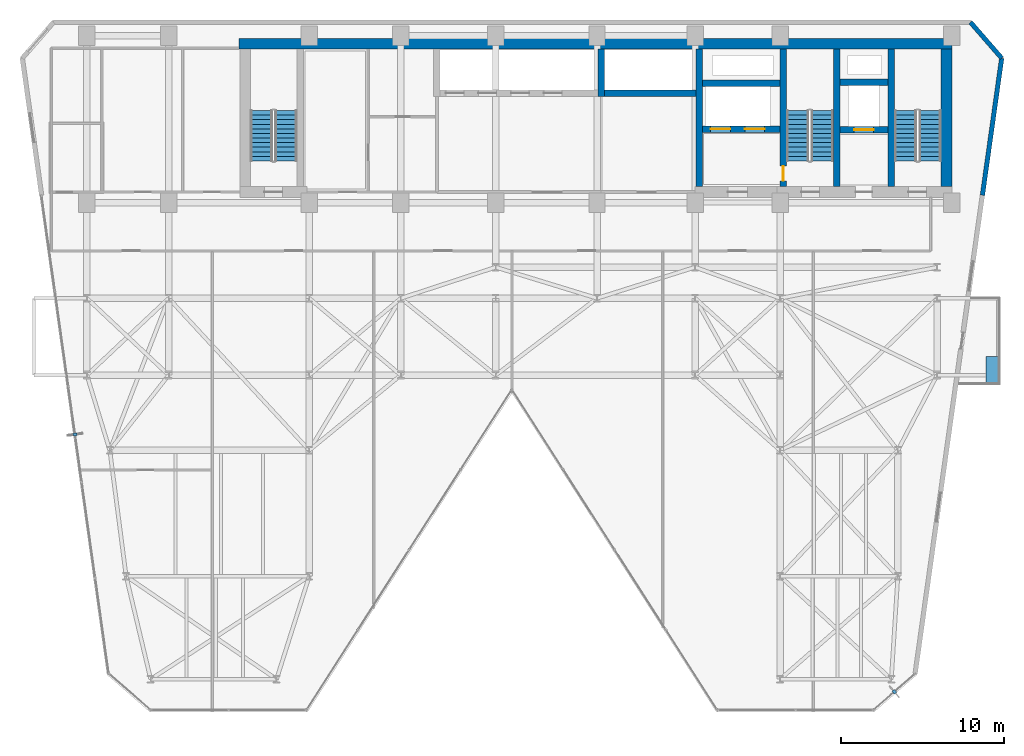
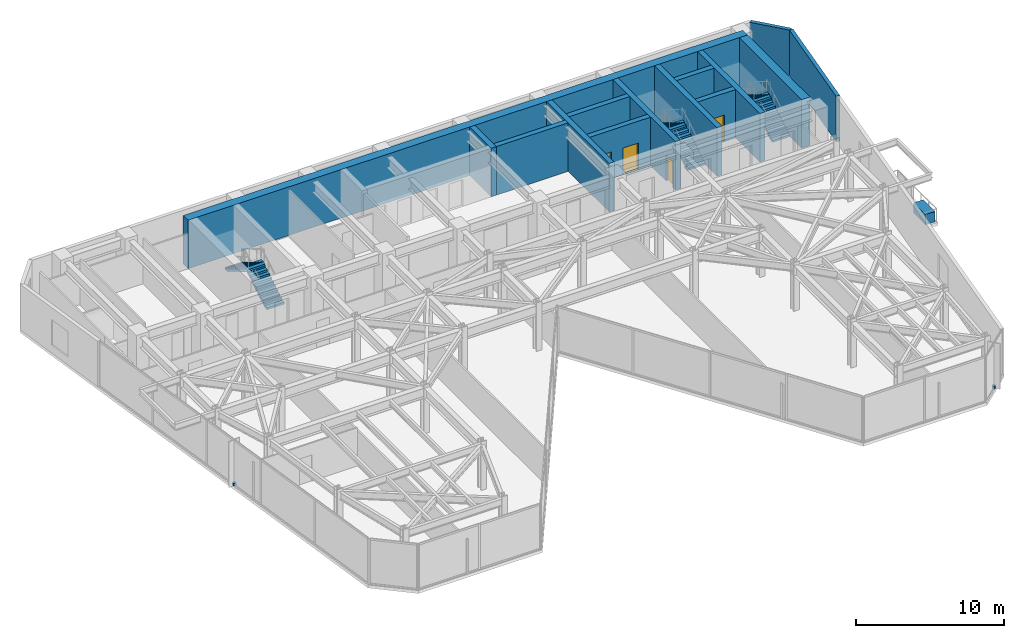
# One storey, part 23 of 26: 14 walls, 6 stair flights, 4 doors, 3 discrete accessories, 4 openings, 3 elements without a shape of their own.
"""IFC4 building model written with IfcOpenShell, lengths in metres."""

from ifc_helpers import new_model, si_unit, direction, frame, frame_2d, origin, origin_2d, place, context, subcontext, project, spatial, polyline, rectangle, outline, extrude, material, layer, layer_set, type_object, element, fill, aggregate, save


model = new_model("IFC4")

# Units and contexts
model_context = context("Model", 3, precision=1e-05, world=origin(), true_north=direction((0.0, 1.0)))
body_context = subcontext(model_context, "Body", "Model", "MODEL_VIEW")
ifc_project = project(units=[si_unit("LENGTHUNIT", "METRE"), si_unit("AREAUNIT", "SQUARE_METRE"), si_unit("VOLUMEUNIT", "CUBIC_METRE"), si_unit("PLANEANGLEUNIT", "RADIAN"), si_unit("MASSUNIT", "GRAM", prefix="KILO")], contexts=[model_context])

# Site, building, storey
site_placement = place(None, origin())
site = spatial("IfcSite", under=ifc_project, at=site_placement, CompositionType="ELEMENT")
building_placement = place(site_placement, origin())
building = spatial("IfcBuilding", under=site, at=building_placement, Name="Kravanh Interchange Tower", CompositionType="ELEMENT")
storey_placement = place(building_placement, frame((0.0, 0.0, 100.0)))
storey = spatial("IfcBuildingStorey", under=building, at=storey_placement, Name="L23", CompositionType="ELEMENT", Elevation=100.0)

# Walls
ifc_material_1 = material(Name="Concrete C70/85", Category="concrete")
ifc_layer_1 = layer(ifc_material_1, 0.64990234375)
ifc_layer_set_1 = layer_set([ifc_layer_1], Name="Core Shear Wall Concrete C70/85 650mm")
wall_type_1 = type_object("IfcWallType", Name="Core Shear Wall Concrete C70/85 650mm", PredefinedType="SHEAR", material=ifc_layer_set_1)
wall_1_placement = place(storey_placement, frame((22.89990234375, 47.074951171875, 0.0), z_axis=(0.0, 0.0, 1.0), x_axis=(1.0, 0.0, 0.0)))
element("IfcWall", 1, at=wall_1_placement, inside=storey, type_object=wall_type_1, Name="L23 North Core Shear Wall", PredefinedType="SHEAR", context=body_context, shape_type="SweptSolid", body=[
    extrude(rectangle(XDim=43.60009765625, YDim=0.64990234375, at=frame_2d((21.800048828125, 0.0))), origin(), (0.0, 0.0, 1.0), 4.0),
])
wall_2_placement = place(storey_placement, frame((66.175048828125, 38.324951171875, 0.0), z_axis=(0.0, 0.0, 1.0), x_axis=(0.0, 1.0, 0.0)))
element("IfcWall", 2, at=wall_2_placement, inside=storey, type_object=wall_type_1, Name="L23 Stair ST1 East Shear Wall", PredefinedType="SHEAR", context=body_context, shape_type="SweptSolid", body=[
    extrude(rectangle(XDim=8.425048828125, YDim=0.64990234375, at=frame_2d((4.21240234375, 0.0))), origin(), (0.0, 0.0, 1.0), 4.0),
])
ifc_material_2 = material(Name="Concrete C80/95", Category="concrete")
ifc_layer_2 = layer(ifc_material_2, 0.39990234375)
ifc_layer_set_2 = layer_set([ifc_layer_2], Name="Core Shear Wall Concrete C80/95 400mm")
wall_type_2 = type_object("IfcWallType", Name="Core Shear Wall Concrete C80/95 400mm", PredefinedType="SHEAR", material=ifc_layer_set_2)
for number, where, z_axis, x_axis, name in (
    (3, (62.800048828125, 38.324951171875, 0.0), (0.0, 0.0, 1.0), (0.0, 1.0, 0.0), "L23 Stair ST1 West Shear Wall"),
    (4, (59.449951171875, 38.324951171875, 0.0), (0.0, 0.0, 1.0), (0.0, 1.0, 0.0), "L23 Stair ST2 East Shear Wall"),
):
    element("IfcWall", number, at=place(storey_placement, frame(where, z_axis=z_axis, x_axis=x_axis)), inside=storey, type_object=wall_type_2, Name=name, PredefinedType="SHEAR", context=body_context, shape_type="SweptSolid", body=[
        extrude(rectangle(XDim=8.425048828125, YDim=0.39990234375, at=frame_2d((4.21240234375, 0.0))), origin(), (0.0, 0.0, 1.0), 4.0),
    ])

# Wall, opening, door
wall_3_placement = place(storey_placement, frame((56.199951171875, 38.324951171875, 0.0), z_axis=(0.0, 0.0, 1.0), x_axis=(0.0, 1.0, 0.0)))
wall_3 = element("IfcWall", 5, at=wall_3_placement, inside=storey, type_object=wall_type_2, Name="L23 Stair ST2 West Shear Wall", PredefinedType="SHEAR", context=body_context, shape_type="SweptSolid", body=[
    extrude(rectangle(XDim=8.425048828125, YDim=0.39990234375, at=frame_2d((4.21240234375, 0.0))), origin(), (0.0, 0.0, 1.0), 4.0),
])
opening_1_placement = place(wall_3_placement, frame((0.35498046875, 0.0, 0.0)))
opening_1 = element("IfcOpeningElement", 6, at=opening_1_placement, cuts=wall_3, Name="Opening D-STAIR-90", PredefinedType="OPENING", context=body_context, shape_type="SweptSolid", body=[
    extrude(rectangle(XDim=0.89990234375, YDim=2.14990234375, at=frame_2d((0.449951171875, 1.074951171875))), frame((0.0, 0.2099609375, 0.0), z_axis=(0.0, -1.0, 0.0), x_axis=(1.0, 0.0, 0.0)), (0.0, 0.0, 1.0), 0.419921875),
])
ifc_material_3 = material(Name="Structural Steel S355", Category="steel")
door_type_1 = type_object("IfcDoorType", Name="Fire-Rated Stair Lobby Door 900x2150", OperationType="NOTDEFINED", PredefinedType="DOOR", material=ifc_material_3)
door_1_placement = place(opening_1_placement, origin())
door_1 = element("IfcDoor", 7, at=door_1_placement, inside=storey, type_object=door_type_1, Name="L23 Firefighting Lobby to Stair ST2 Door", OperationType="SINGLE_SWING_LEFT", OverallHeight=2.14990234375, OverallWidth=0.89990234375, PredefinedType="DOOR", context=body_context, shape_type="SweptSolid", body=[
    extrude(rectangle(XDim=0.89990234375, YDim=2.14990234375, at=frame_2d((0.449951171875, 1.074951171875))), frame((0.0, 0.02490234375, 0.0), z_axis=(0.0, -1.0, 0.0), x_axis=(1.0, 0.0, 0.0)), (0.0, 0.0, 1.0), 0.050048828125),
])
fill(opening_1, door_1)

wall_4_placement = place(storey_placement, frame((59.64990234375, 41.800048828125, 0.0), z_axis=(0.0, 0.0, 1.0), x_axis=(1.0, 0.0, 0.0)))
wall_4 = element("IfcWall", 8, at=wall_4_placement, inside=storey, type_object=wall_type_2, Name="L23 Service Lift Shaft South Wall", PredefinedType="SHEAR", context=body_context, shape_type="SweptSolid", body=[
    extrude(rectangle(XDim=2.9501953125, YDim=0.39990234375, at=frame_2d((1.47509765625, 0.0))), origin(), (0.0, 0.0, 1.0), 4.0),
])
opening_2_placement = place(wall_4_placement, frame((0.8701171875, 0.0, 0.0)))
opening_2 = element("IfcOpeningElement", 9, at=opening_2_placement, cuts=wall_4, Name="Opening LD02", PredefinedType="OPENING", context=body_context, shape_type="SweptSolid", body=[
    extrude(rectangle(XDim=1.199951171875, YDim=2.199951171875, at=frame_2d((0.60009765625, 1.10009765625))), frame((0.0, 0.2099609375, 0.0), z_axis=(0.0, -1.0, 0.0), x_axis=(1.0, 0.0, 0.0)), (0.0, 0.0, 1.0), 0.419921875),
])
ifc_material_4 = material(Name="Stainless Steel 316", Category="steel")
door_type_2 = type_object("IfcDoorType", Name="Fire and Service Lift Sliding Landing Door 1200x2200", OperationType="DOUBLE_DOOR_SLIDING", PredefinedType="DOOR", material=ifc_material_4)
door_2_placement = place(opening_2_placement, origin())
door_2 = element("IfcDoor", 10, at=door_2_placement, inside=storey, type_object=door_type_2, Name="L23 Lift LS-01 Landing Door", OperationType="DOUBLE_DOOR_SLIDING", OverallHeight=2.199951171875, OverallWidth=1.199951171875, PredefinedType="DOOR", context=body_context, shape_type="SweptSolid", body=[
    extrude(rectangle(XDim=1.199951171875, YDim=2.199951171875, at=frame_2d((0.60009765625, 1.10009765625))), frame((0.0, 0.02490234375, 0.0), z_axis=(0.0, -1.0, 0.0), x_axis=(1.0, 0.0, 0.0)), (0.0, 0.0, 1.0), 0.050048828125),
])
fill(opening_2, door_2)

# Wall
wall_5_placement = place(storey_placement, frame((59.64990234375, 44.699951171875, 0.0), z_axis=(0.0, 0.0, 1.0), x_axis=(1.0, 0.0, 0.0)))
element("IfcWall", 11, at=wall_5_placement, inside=storey, type_object=wall_type_2, Name="L23 Service Lift Shaft North Wall", PredefinedType="SHEAR", context=body_context, shape_type="SweptSolid", body=[
    extrude(rectangle(XDim=2.9501953125, YDim=0.39990234375, at=frame_2d((1.47509765625, 0.0))), origin(), (0.0, 0.0, 1.0), 4.0),
])

# Wall, openings, doors
wall_6_placement = place(storey_placement, frame((51.25, 41.85009765625, 0.0), z_axis=(0.0, 0.0, 1.0), x_axis=(1.0, 0.0, 0.0)))
wall_6 = element("IfcWall", 12, at=wall_6_placement, inside=storey, type_object=wall_type_2, Name="L23 Fire Lift Shaft South Wall", PredefinedType="SHEAR", context=body_context, shape_type="SweptSolid", body=[
    extrude(rectangle(XDim=4.75, YDim=0.39990234375, at=frame_2d((2.375, 0.0))), origin(), (0.0, 0.0, 1.0), 4.0),
])
opening_3_placement = place(wall_6_placement, frame((0.5, 0.0, 0.0)))
opening_3 = element("IfcOpeningElement", 13, at=opening_3_placement, cuts=wall_6, Name="Opening LD02", PredefinedType="OPENING", context=body_context, shape_type="SweptSolid", body=[
    extrude(rectangle(XDim=1.199951171875, YDim=2.199951171875, at=frame_2d((0.60009765625, 1.10009765625))), frame((0.0, 0.2099609375, 0.0), z_axis=(0.0, -1.0, 0.0), x_axis=(1.0, 0.0, 0.0)), (0.0, 0.0, 1.0), 0.419921875),
])
opening_4_placement = place(wall_6_placement, frame((2.60009765625, 0.0, 0.0)))
opening_4 = element("IfcOpeningElement", 14, at=opening_4_placement, cuts=wall_6, Name="Opening LD02", PredefinedType="OPENING", context=body_context, shape_type="SweptSolid", body=[
    extrude(rectangle(XDim=1.199951171875, YDim=2.199951171875, at=frame_2d((0.60009765625, 1.10009765625))), frame((0.0, 0.2099609375, 0.0), z_axis=(0.0, -1.0, 0.0), x_axis=(1.0, 0.0, 0.0)), (0.0, 0.0, 1.0), 0.419921875),
])
door_3_placement = place(opening_3_placement, origin())
door_3 = element("IfcDoor", 15, at=door_3_placement, inside=storey, type_object=door_type_2, Name="L23 Lift FSAE-01 Landing Door", OperationType="DOUBLE_DOOR_SLIDING", OverallHeight=2.199951171875, OverallWidth=1.199951171875, PredefinedType="DOOR", context=body_context, shape_type="SweptSolid", body=[
    extrude(rectangle(XDim=1.199951171875, YDim=2.199951171875, at=frame_2d((0.60009765625, 1.10009765625))), frame((0.0, 0.02490234375, 0.0), z_axis=(0.0, -1.0, 0.0), x_axis=(1.0, 0.0, 0.0)), (0.0, 0.0, 1.0), 0.050048828125),
])
fill(opening_3, door_3)
door_4_placement = place(opening_4_placement, origin())
door_4 = element("IfcDoor", 16, at=door_4_placement, inside=storey, type_object=door_type_2, Name="L23 Lift FSAE-02 Landing Door", OperationType="DOUBLE_DOOR_SLIDING", OverallHeight=2.199951171875, OverallWidth=1.199951171875, PredefinedType="DOOR", context=body_context, shape_type="SweptSolid", body=[
    extrude(rectangle(XDim=1.199951171875, YDim=2.199951171875, at=frame_2d((0.60009765625, 1.10009765625))), frame((0.0, 0.02490234375, 0.0), z_axis=(0.0, -1.0, 0.0), x_axis=(1.0, 0.0, 0.0)), (0.0, 0.0, 1.0), 0.050048828125),
])
fill(opening_4, door_4)

# Walls
wall_7_placement = place(storey_placement, frame((51.25, 44.64990234375, 0.0), z_axis=(0.0, 0.0, 1.0), x_axis=(1.0, 0.0, 0.0)))
element("IfcWall", 17, at=wall_7_placement, inside=storey, type_object=wall_type_2, Name="L23 Fire Lift Shaft North Wall", PredefinedType="SHEAR", context=body_context, shape_type="SweptSolid", body=[
    extrude(rectangle(XDim=4.75, YDim=0.39990234375, at=frame_2d((2.375, 0.0))), origin(), (0.0, 0.0, 1.0), 4.0),
])
wall_8_placement = place(storey_placement, frame((51.050048828125, 38.324951171875, 0.0), z_axis=(0.0, 0.0, 1.0), x_axis=(0.0, 1.0, 0.0)))
element("IfcWall", 18, at=wall_8_placement, inside=storey, type_object=wall_type_2, Name="L23 Firefighting Lobby West Wall", PredefinedType="SHEAR", context=body_context, shape_type="SweptSolid", body=[
    extrude(rectangle(XDim=8.425048828125, YDim=0.39990234375, at=frame_2d((4.21240234375, 0.0))), origin(), (0.0, 0.0, 1.0), 4.0),
])
wall_9_placement = place(storey_placement, frame((45.25, 44.050048828125, 0.0), z_axis=(0.0, 0.0, 1.0), x_axis=(1.0, 0.0, 0.0)))
element("IfcWall", 19, at=wall_9_placement, inside=storey, type_object=wall_type_2, Name="L23 High-Rise Lift Shaft South Wall", PredefinedType="SHEAR", context=body_context, shape_type="SweptSolid", body=[
    extrude(rectangle(XDim=5.60009765625, YDim=0.39990234375, at=frame_2d((2.800048828125, 0.0))), origin(), (0.0, 0.0, 1.0), 4.0),
])
wall_10_placement = place(storey_placement, frame((45.050048828125, 43.85009765625, 0.0), z_axis=(0.0, 0.0, 1.0), x_axis=(0.0, 1.0, 0.0)))
element("IfcWall", 20, at=wall_10_placement, inside=storey, type_object=wall_type_2, Name="L23 High-Rise Lift Shaft West Wall", PredefinedType="SHEAR", context=body_context, shape_type="SweptSolid", body=[
    extrude(rectangle(XDim=2.89990234375, YDim=0.39990234375, at=frame_2d((1.449951171875, 0.0))), origin(), (0.0, 0.0, 1.0), 4.0),
])
ifc_material_5 = material(Name="Insulated Precast Concrete C40/50 with Bronze Cladding", Category="concrete")
ifc_layer_3 = layer(ifc_material_5, 0.280029296875)
ifc_layer_set_3 = layer_set([ifc_layer_3], Name="Exterior Insulated Concrete C40/50 Bronze Spandrel Wall 280mm")
wall_type_3 = type_object("IfcWallType", Name="Exterior Insulated Concrete C40/50 Bronze Spandrel Wall 280mm", PredefinedType="STANDARD", material=ifc_layer_set_3)
wall_11_placement = place(storey_placement, frame((67.645263671875, 48.3798828125, 0.0), z_axis=(0.0, 0.0, 1.0), x_axis=(0.656070644076, -0.754699483226, 0.0)))
element("IfcWall", 21, at=wall_11_placement, inside=storey, type_object=wall_type_3, Name="L23 Exterior Wall 4", PredefinedType="STANDARD", context=body_context, shape_type="SweptSolid", body=[
    extrude(rectangle(XDim=2.908447265625, YDim=0.280029296875, at=frame_2d((1.4541015625, 0.0))), origin(), (0.0, 0.0, 1.0), 3.75),
])
wall_12_placement = place(storey_placement, frame((69.553466796875, 46.184814453125, 0.0), z_axis=(0.0, 0.0, 1.0), x_axis=(-0.139180610108, -0.990267013371, 0.0)))
element("IfcWall", 22, at=wall_12_placement, inside=storey, type_object=wall_type_3, Name="L23 Exterior Wall 5", PredefinedType="STANDARD", context=body_context, shape_type="SweptSolid", body=[
    extrude(rectangle(XDim=8.46728515625, YDim=0.280029296875, at=frame_2d((4.233642578125, 0.0))), origin(), (0.0, 0.0, 1.0), 3.75),
])

# Stair, stair flights
ifc_material_6 = material(Name="Concrete C50/60", Category="concrete")
stair_type = type_object("IfcStairType", Name="Core Fire Exit Dogleg Stair Concrete C50/60", PredefinedType="HALF_TURN_STAIR", material=ifc_material_6)
stair_1_placement = place(storey_placement, origin())
stair_1 = element("IfcStair", 23, at=stair_1_placement, inside=storey, type_object=stair_type, Name="L23 Exit Stair ST1", PredefinedType="HALF_TURN_STAIR")
ifc_material_7 = material(Name="Precast Concrete C50/60", Category="concrete")
ifc_layer_4 = layer(ifc_material_7, 0.199951171875)
ifc_layer_set_4 = layer_set([ifc_layer_4], Name="Precast Concrete C50/60 Stair Flight 1350mm")
stair_flight_type = type_object("IfcStairFlightType", Name="Precast Concrete C50/60 Stair Flight 1350mm", PredefinedType="STRAIGHT", material=ifc_layer_set_4)
stair_flight_1_placement = place(storey_placement, frame((65.175048828125, 39.89990234375, 0.0), z_axis=(0.0, 0.0, 1.0), x_axis=(0.0, 1.0, 0.0)))
stair_flight_1 = element("IfcStairFlight", 24, at=stair_flight_1_placement, type_object=stair_flight_type, Name="ST1 flight 1", NumberOfRisers=12, NumberOfTreads=11, PredefinedType="STRAIGHT", RiserHeight=0.166666667, TreadLength=0.28, context=body_context, shape_type="SweptSolid", body=[
    extrude(outline(polyline([(0.0, 0.0), (0.0, 0.166748046875), (0.280029296875, 0.166748046875), (0.280029296875, 0.333251953125), (0.56005859375, 0.333251953125), (0.56005859375, 0.5), (0.840087890625, 0.5), (0.840087890625, 0.666748046875), (1.1201171875, 0.666748046875), (1.1201171875, 0.833251953125), (1.39990234375, 0.833251953125), (1.39990234375, 1.0), (1.679931640625, 1.0), (1.679931640625, 1.166748046875), (1.9599609375, 1.166748046875), (1.9599609375, 1.333251953125), (2.239990234375, 1.333251953125), (2.239990234375, 1.5), (2.52001953125, 1.5), (2.52001953125, 1.666748046875), (2.800048828125, 1.666748046875), (2.800048828125, 1.833251953125), (3.080078125, 1.833251953125), (3.080078125, 2.0), (3.080078125, 1.658935546875), (0.29296875, 0.0), (0.0, 0.0)])), frame((0.0, 0.675048828125, 0.0), z_axis=(0.0, -1.0, 0.0), x_axis=(1.0, 0.0, 0.0)), (0.0, 0.0, 1.0), 1.35009765625),
])
stair_flight_2_placement = place(storey_placement, frame((63.675048828125, 42.97998046875, 2.0), z_axis=(0.0, 0.0, 1.0), x_axis=(0.0, -1.0, 0.0)))
stair_flight_2 = element("IfcStairFlight", 25, at=stair_flight_2_placement, type_object=stair_flight_type, Name="ST1 flight 2", NumberOfRisers=12, NumberOfTreads=11, PredefinedType="STRAIGHT", RiserHeight=0.166666667, TreadLength=0.28, context=body_context, shape_type="SweptSolid", body=[
    extrude(outline(polyline([(0.0, 0.0), (0.0, 0.166748046875), (0.280029296875, 0.166748046875), (0.280029296875, 0.333251953125), (0.56005859375, 0.333251953125), (0.56005859375, 0.5), (0.840087890625, 0.5), (0.840087890625, 0.666748046875), (1.1201171875, 0.666748046875), (1.1201171875, 0.833251953125), (1.39990234375, 0.833251953125), (1.39990234375, 1.0), (1.679931640625, 1.0), (1.679931640625, 1.166748046875), (1.9599609375, 1.166748046875), (1.9599609375, 1.333251953125), (2.239990234375, 1.333251953125), (2.239990234375, 1.5), (2.52001953125, 1.5), (2.52001953125, 1.666748046875), (2.800048828125, 1.666748046875), (2.800048828125, 1.833251953125), (3.080078125, 1.833251953125), (3.080078125, 2.0), (3.080078125, 1.658935546875), (0.29296875, 0.0), (0.0, 0.0)])), frame((0.0, 0.675048828125, 0.0), z_axis=(0.0, -1.0, 0.0), x_axis=(1.0, 0.0, 0.0)), (0.0, 0.0, 1.0), 1.35009765625),
])
aggregate(stair_1, [stair_flight_1, stair_flight_2])

stair_2_placement = place(storey_placement, origin())
stair_2 = element("IfcStair", 26, at=stair_2_placement, inside=storey, type_object=stair_type, Name="L23 Exit Stair ST2", PredefinedType="HALF_TURN_STAIR")
stair_flight_3_placement = place(storey_placement, frame((58.574951171875, 39.89990234375, 0.0), z_axis=(0.0, 0.0, 1.0), x_axis=(0.0, 1.0, 0.0)))
stair_flight_3 = element("IfcStairFlight", 27, at=stair_flight_3_placement, type_object=stair_flight_type, Name="ST2 flight 1", NumberOfRisers=12, NumberOfTreads=11, PredefinedType="STRAIGHT", RiserHeight=0.166666667, TreadLength=0.28, context=body_context, shape_type="SweptSolid", body=[
    extrude(outline(polyline([(0.0, 0.0), (0.0, 0.166748046875), (0.280029296875, 0.166748046875), (0.280029296875, 0.333251953125), (0.56005859375, 0.333251953125), (0.56005859375, 0.5), (0.840087890625, 0.5), (0.840087890625, 0.666748046875), (1.1201171875, 0.666748046875), (1.1201171875, 0.833251953125), (1.39990234375, 0.833251953125), (1.39990234375, 1.0), (1.679931640625, 1.0), (1.679931640625, 1.166748046875), (1.9599609375, 1.166748046875), (1.9599609375, 1.333251953125), (2.239990234375, 1.333251953125), (2.239990234375, 1.5), (2.52001953125, 1.5), (2.52001953125, 1.666748046875), (2.800048828125, 1.666748046875), (2.800048828125, 1.833251953125), (3.080078125, 1.833251953125), (3.080078125, 2.0), (3.080078125, 1.658935546875), (0.29296875, 0.0), (0.0, 0.0)])), frame((0.0, 0.675048828125, 0.0), z_axis=(0.0, -1.0, 0.0), x_axis=(1.0, 0.0, 0.0)), (0.0, 0.0, 1.0), 1.35009765625),
])
stair_flight_4_placement = place(storey_placement, frame((57.074951171875, 42.97998046875, 2.0), z_axis=(0.0, 0.0, 1.0), x_axis=(0.0, -1.0, 0.0)))
stair_flight_4 = element("IfcStairFlight", 28, at=stair_flight_4_placement, type_object=stair_flight_type, Name="ST2 flight 2", NumberOfRisers=12, NumberOfTreads=11, PredefinedType="STRAIGHT", RiserHeight=0.166666667, TreadLength=0.28, context=body_context, shape_type="SweptSolid", body=[
    extrude(outline(polyline([(0.0, 0.0), (0.0, 0.166748046875), (0.280029296875, 0.166748046875), (0.280029296875, 0.333251953125), (0.56005859375, 0.333251953125), (0.56005859375, 0.5), (0.840087890625, 0.5), (0.840087890625, 0.666748046875), (1.1201171875, 0.666748046875), (1.1201171875, 0.833251953125), (1.39990234375, 0.833251953125), (1.39990234375, 1.0), (1.679931640625, 1.0), (1.679931640625, 1.166748046875), (1.9599609375, 1.166748046875), (1.9599609375, 1.333251953125), (2.239990234375, 1.333251953125), (2.239990234375, 1.5), (2.52001953125, 1.5), (2.52001953125, 1.666748046875), (2.800048828125, 1.666748046875), (2.800048828125, 1.833251953125), (3.080078125, 1.833251953125), (3.080078125, 2.0), (3.080078125, 1.658935546875), (0.29296875, 0.0), (0.0, 0.0)])), frame((0.0, 0.675048828125, 0.0), z_axis=(0.0, -1.0, 0.0), x_axis=(1.0, 0.0, 0.0)), (0.0, 0.0, 1.0), 1.35009765625),
])
aggregate(stair_2, [stair_flight_3, stair_flight_4])

stair_3_placement = place(storey_placement, origin())
stair_3 = element("IfcStair", 29, at=stair_3_placement, inside=storey, type_object=stair_type, Name="L23 Exit Stair ST3", PredefinedType="HALF_TURN_STAIR")
stair_flight_5_placement = place(storey_placement, frame((25.77490234375, 39.89990234375, 0.0), z_axis=(0.0, 0.0, 1.0), x_axis=(0.0, 1.0, 0.0)))
stair_flight_5 = element("IfcStairFlight", 30, at=stair_flight_5_placement, type_object=stair_flight_type, Name="ST3 flight 1", NumberOfRisers=12, NumberOfTreads=11, PredefinedType="STRAIGHT", RiserHeight=0.166666667, TreadLength=0.28, context=body_context, shape_type="SweptSolid", body=[
    extrude(outline(polyline([(0.0, 0.0), (0.0, 0.166748046875), (0.280029296875, 0.166748046875), (0.280029296875, 0.333251953125), (0.56005859375, 0.333251953125), (0.56005859375, 0.5), (0.840087890625, 0.5), (0.840087890625, 0.666748046875), (1.1201171875, 0.666748046875), (1.1201171875, 0.833251953125), (1.39990234375, 0.833251953125), (1.39990234375, 1.0), (1.679931640625, 1.0), (1.679931640625, 1.166748046875), (1.9599609375, 1.166748046875), (1.9599609375, 1.333251953125), (2.239990234375, 1.333251953125), (2.239990234375, 1.5), (2.52001953125, 1.5), (2.52001953125, 1.666748046875), (2.800048828125, 1.666748046875), (2.800048828125, 1.833251953125), (3.080078125, 1.833251953125), (3.080078125, 2.0), (3.080078125, 1.658935546875), (0.29296875, 0.0), (0.0, 0.0)])), frame((0.0, 0.675048828125, 0.0), z_axis=(0.0, -1.0, 0.0), x_axis=(1.0, 0.0, 0.0)), (0.0, 0.0, 1.0), 1.35009765625),
])
stair_flight_6_placement = place(storey_placement, frame((24.27490234375, 42.97998046875, 2.0), z_axis=(0.0, 0.0, 1.0), x_axis=(0.0, -1.0, 0.0)))
stair_flight_6 = element("IfcStairFlight", 31, at=stair_flight_6_placement, type_object=stair_flight_type, Name="ST3 flight 2", NumberOfRisers=12, NumberOfTreads=11, PredefinedType="STRAIGHT", RiserHeight=0.166666667, TreadLength=0.28, context=body_context, shape_type="SweptSolid", body=[
    extrude(outline(polyline([(0.0, 0.0), (0.0, 0.166748046875), (0.280029296875, 0.166748046875), (0.280029296875, 0.333251953125), (0.56005859375, 0.333251953125), (0.56005859375, 0.5), (0.840087890625, 0.5), (0.840087890625, 0.666748046875), (1.1201171875, 0.666748046875), (1.1201171875, 0.833251953125), (1.39990234375, 0.833251953125), (1.39990234375, 1.0), (1.679931640625, 1.0), (1.679931640625, 1.166748046875), (1.9599609375, 1.166748046875), (1.9599609375, 1.333251953125), (2.239990234375, 1.333251953125), (2.239990234375, 1.5), (2.52001953125, 1.5), (2.52001953125, 1.666748046875), (2.800048828125, 1.666748046875), (2.800048828125, 1.833251953125), (3.080078125, 1.833251953125), (3.080078125, 2.0), (3.080078125, 1.658935546875), (0.29296875, 0.0), (0.0, 0.0)])), frame((0.0, 0.675048828125, 0.0), z_axis=(0.0, -1.0, 0.0), x_axis=(1.0, 0.0, 0.0)), (0.0, 0.0, 1.0), 1.35009765625),
])
aggregate(stair_3, [stair_flight_5, stair_flight_6])

# Discrete accessories
ifc_material_8 = material(Name="Stainless Steel 316", Category="steel")
discrete_accessory_type_1 = type_object("IfcDiscreteAccessoryType", Name="Solar Fin Curtain-Wall Mounting Bracket Stainless 316", PredefinedType="BRACKET", material=ifc_material_8)
for number, where, z_axis, x_axis, name in (
    (32, (12.881103515625, 23.16943359375, 0.0), (0.0, 0.0, 1.0), (-0.990268017027, -0.139173468924, 0.0), "L23 Solar Fin Mounting Bracket 1"),
    (33, (62.986328125, 7.429443359375, 0.0), (0.0, 0.0, 1.0), (0.656056045951, -0.754712173329, 0.0), "L23 Solar Fin Mounting Bracket 2"),
):
    element("IfcDiscreteAccessory", number, at=place(storey_placement, frame(where, z_axis=z_axis, x_axis=x_axis)), inside=storey, type_object=discrete_accessory_type_1, Name=name, PredefinedType="BRACKET", context=body_context, shape_type="SweptSolid", body=[
        extrude(rectangle(XDim=0.239990234375, YDim=0.179931640625, at=origin_2d()), origin(), (0.0, 0.0, 1.0), 0.219970703125),
    ])
ifc_material_9 = material(Name="Architectural GRC Concrete C40/50 with Root Barrier", Category="concrete")
discrete_accessory_type_2 = type_object("IfcDiscreteAccessoryType", Name="Structural Balcony Tree Planter Box Concrete C40/50 1600x750x850", PredefinedType="USERDEFINED", material=ifc_material_9)
discrete_accessory_placement = place(storey_placement, frame((68.952880859375, 27.139892578125, 0.0), z_axis=(0.0, 0.0, 1.0), x_axis=(1.0, 0.0, 0.0)))
element("IfcDiscreteAccessory", 34, at=discrete_accessory_placement, inside=storey, type_object=discrete_accessory_type_2, Name="L23 E Balcony TREE PLANTER", ObjectType="PLANTER", PredefinedType="USERDEFINED", context=body_context, shape_type="SweptSolid", body=[
    extrude(rectangle(XDim=0.75, YDim=1.60009765625, at=origin_2d()), origin(), (0.0, 0.0, 1.0), 0.85009765625),
])

save(model, "model.ifc")
